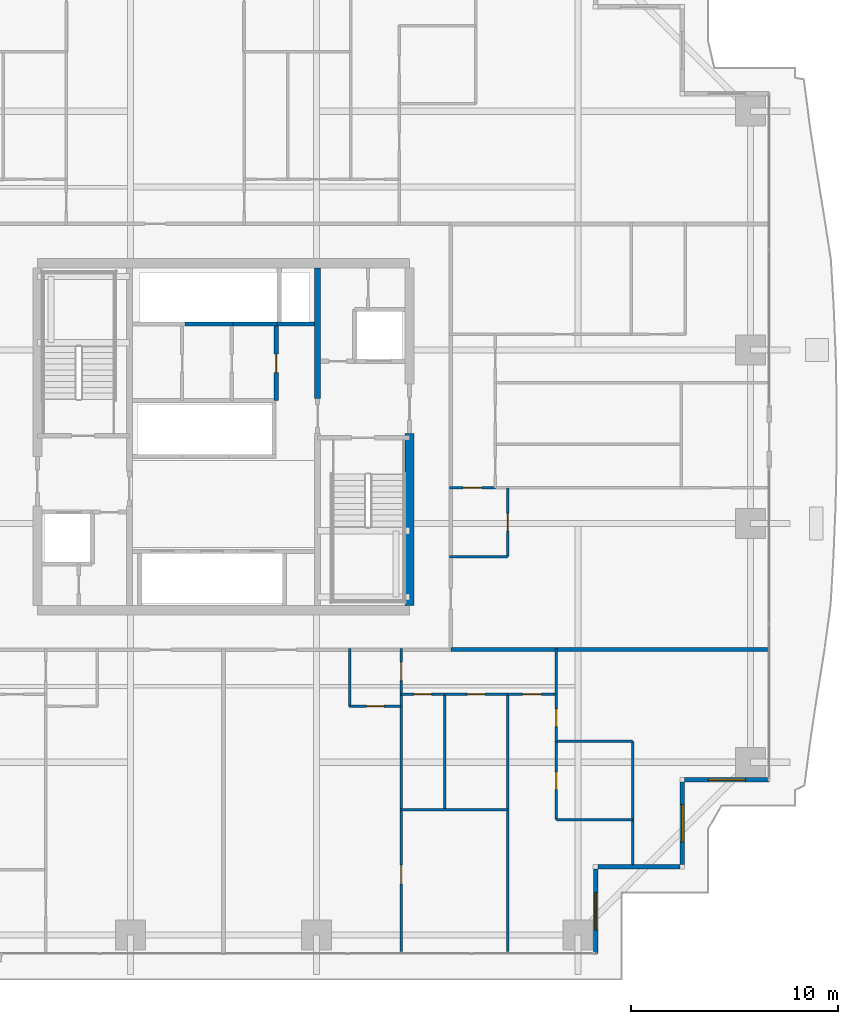
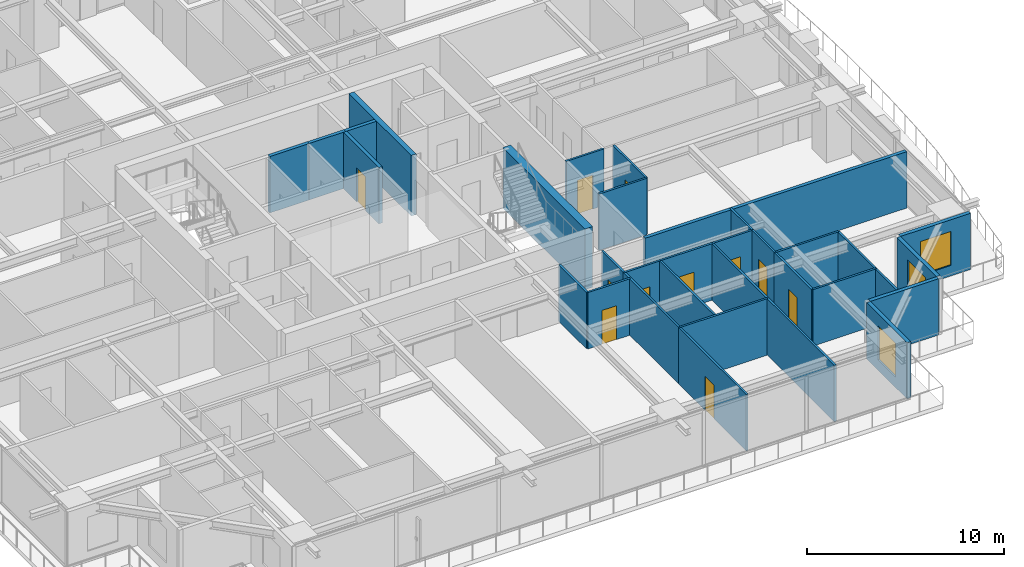
# One storey, part 29 of 39: 31 walls, 11 doors, 3 windows, 14 openings.
"""IFC4 building model written with IfcOpenShell, lengths in metres."""

from ifc_helpers import new_model, si_unit, direction, frame, frame_2d, origin, place, context, subcontext, project, spatial, rectangle, extrude, source, transform, mapped, material, layer, layer_set, type_object, element, fill, save


model = new_model("IFC4")

# Units and contexts
model_context = context("Model", 3, precision=1e-05, world=origin(), true_north=direction((0.0, 1.0)))
body_context = subcontext(model_context, "Body", "Model", "MODEL_VIEW")
ifc_project = project(units=[si_unit("LENGTHUNIT", "METRE"), si_unit("AREAUNIT", "SQUARE_METRE"), si_unit("VOLUMEUNIT", "CUBIC_METRE"), si_unit("PLANEANGLEUNIT", "RADIAN"), si_unit("MASSUNIT", "GRAM", prefix="KILO")], contexts=[model_context])

# Site, building, storey
site_placement = place(None, origin())
site = spatial("IfcSite", under=ifc_project, at=site_placement, CompositionType="ELEMENT")
building_placement = place(site_placement, origin())
building = spatial("IfcBuilding", under=site, at=building_placement, Name="Serunith Strait Residences", CompositionType="ELEMENT")
storey_placement = place(building_placement, frame((0.0, 0.0, 97.949951171875)))
storey = spatial("IfcBuildingStorey", under=building, at=storey_placement, Name="L24", CompositionType="ELEMENT", Elevation=97.949951171875)

# Wall, opening, window
ifc_material_1 = material(Name="Pale-Champagne Aluminium Insulated Panel", Category="aluminium")
ifc_layer_1 = layer(ifc_material_1, 0.219970703125, Name="Pale-Champagne Aluminium Insulated Panel")
ifc_layer_set_1 = layer_set([ifc_layer_1], Name="Pale-Champagne Aluminium Insulated Panel")
wall_type_1 = type_object("IfcWallType", Name="EW-ALUM-220", PredefinedType="ELEMENTEDWALL", material=ifc_layer_set_1)
wall_1_placement = place(storey_placement, frame((50.39990234375, 0.199951171875, 0.0), z_axis=(0.0, 0.0, 1.0), x_axis=(0.0, 1.0, 0.0)))
wall_1 = element("IfcWall", 1, at=wall_1_placement, inside=storey, type_object=wall_type_1, Name="L24 Girih Serrated Corner Wall 02", PredefinedType="ELEMENTEDWALL", context=body_context, shape_type="SweptSolid", body=[
    extrude(rectangle(XDim=4.090087890625, YDim=0.219970703125, at=frame_2d((2.044921875, 0.0))), origin(), (0.0, 0.0, 1.0), 3.47509765625),
])
opening_1_placement = place(wall_1_placement, frame((1.14501953125, 0.0, 0.64990234375)))
opening_1 = element("IfcOpeningElement", 2, at=opening_1_placement, cuts=wall_1, Name="Opening W-01", PredefinedType="OPENING", context=body_context, shape_type="SweptSolid", body=[
    extrude(rectangle(XDim=1.800048828125, YDim=2.10009765625, at=frame_2d((0.89990234375, 1.050048828125))), frame((0.0, 0.1201171875, 0.0), z_axis=(0.0, -1.0, 0.0), x_axis=(1.0, 0.0, 0.0)), (0.0, 0.0, 1.0), 0.239990234375),
])
ifc_material_2 = material(Name="Ceramic-Fritted Operable Aluminium Window Glass", Category="aluminium")
window_type = type_object("IfcWindowType", Name="WIN-C1", PartitioningType="DOUBLE_PANEL_VERTICAL", PredefinedType="WINDOW", material=ifc_material_2)
shared_shape_1 = source(origin(), body_context, "Body", "SweptSolid", [
    extrude(rectangle(XDim=1.800048828125, YDim=2.10009765625, at=frame_2d((0.89990234375, 1.050048828125))), frame((0.0, 0.030029296875, 0.0), z_axis=(0.0, -1.0, 0.0), x_axis=(1.0, 0.0, 0.0)), (0.0, 0.0, 1.0), 0.06005859375),
])
window_1_placement = place(opening_1_placement, origin())
window_1 = element("IfcWindow", 3, at=window_1_placement, inside=storey, type_object=window_type, Name="L24 Corner Operable Fritted Window 02", OverallHeight=2.10009765625, OverallWidth=1.800048828125, PartitioningType="SINGLE_PANEL", PredefinedType="WINDOW", context=body_context, shape_type="MappedRepresentation", body=[
    mapped(shared_shape_1, transform((0.0, 0.0, 0.0), scale=1.0)),
])
fill(opening_1, window_1)

# Wall
wall_2_placement = place(storey_placement, frame((50.510009765625, 4.39990234375, 0.0), z_axis=(0.0, 0.0, 1.0), x_axis=(1.0, 0.0, 0.0)))
element("IfcWall", 4, at=wall_2_placement, inside=storey, type_object=wall_type_1, Name="L24 Girih Serrated Corner Wall 03", PredefinedType="ELEMENTEDWALL", context=body_context, shape_type="SweptSolid", body=[
    extrude(rectangle(XDim=3.97998046875, YDim=0.219970703125, at=frame_2d((1.989990234375, 0.0))), origin(), (0.0, 0.0, 1.0), 3.47509765625),
])

# Wall, opening, window
wall_3_placement = place(storey_placement, frame((54.60009765625, 4.510009765625, 0.0), z_axis=(0.0, 0.0, 1.0), x_axis=(0.0, 1.0, 0.0)))
wall_3 = element("IfcWall", 5, at=wall_3_placement, inside=storey, type_object=wall_type_1, Name="L24 Girih Serrated Corner Wall 04", PredefinedType="ELEMENTEDWALL", context=body_context, shape_type="SweptSolid", body=[
    extrude(rectangle(XDim=3.97998046875, YDim=0.219970703125, at=frame_2d((1.989990234375, 0.0))), origin(), (0.0, 0.0, 1.0), 3.47509765625),
])
opening_2_placement = place(wall_3_placement, frame((1.090087890625, 0.0, 0.64990234375)))
opening_2 = element("IfcOpeningElement", 6, at=opening_2_placement, cuts=wall_3, Name="Opening W-01", PredefinedType="OPENING", context=body_context, shape_type="SweptSolid", body=[
    extrude(rectangle(XDim=1.800048828125, YDim=2.10009765625, at=frame_2d((0.89990234375, 1.050048828125))), frame((0.0, 0.1201171875, 0.0), z_axis=(0.0, -1.0, 0.0), x_axis=(1.0, 0.0, 0.0)), (0.0, 0.0, 1.0), 0.239990234375),
])
window_2_placement = place(opening_2_placement, origin())
window_2 = element("IfcWindow", 7, at=window_2_placement, inside=storey, type_object=window_type, Name="L24 Corner Operable Fritted Window 04", OverallHeight=2.10009765625, OverallWidth=1.800048828125, PartitioningType="SINGLE_PANEL", PredefinedType="WINDOW", context=body_context, shape_type="MappedRepresentation", body=[
    mapped(shared_shape_1, transform((0.0, 0.0, 0.0), scale=1.0)),
])
fill(opening_2, window_2)

wall_4_placement = place(storey_placement, frame((54.7099609375, 8.60009765625, 0.0), z_axis=(0.0, 0.0, 1.0), x_axis=(1.0, 0.0, 0.0)))
wall_4 = element("IfcWall", 8, at=wall_4_placement, inside=storey, type_object=wall_type_1, Name="L24 Girih Serrated Corner Wall 05", PredefinedType="ELEMENTEDWALL", context=body_context, shape_type="SweptSolid", body=[
    extrude(rectangle(XDim=4.090087890625, YDim=0.219970703125, at=frame_2d((2.044921875, 0.0))), origin(), (0.0, 0.0, 1.0), 3.47509765625),
])
opening_3_placement = place(wall_4_placement, frame((1.14501953125, 0.0, 0.64990234375)))
opening_3 = element("IfcOpeningElement", 9, at=opening_3_placement, cuts=wall_4, Name="Opening W-01", PredefinedType="OPENING", context=body_context, shape_type="SweptSolid", body=[
    extrude(rectangle(XDim=1.800048828125, YDim=2.10009765625, at=frame_2d((0.89990234375, 1.050048828125))), frame((0.0, 0.1201171875, 0.0), z_axis=(0.0, -1.0, 0.0), x_axis=(1.0, 0.0, 0.0)), (0.0, 0.0, 1.0), 0.239990234375),
])
window_3_placement = place(opening_3_placement, origin())
window_3 = element("IfcWindow", 10, at=window_3_placement, inside=storey, type_object=window_type, Name="L24 Corner Operable Fritted Window 05", OverallHeight=2.10009765625, OverallWidth=1.800048828125, PartitioningType="SINGLE_PANEL", PredefinedType="WINDOW", context=body_context, shape_type="MappedRepresentation", body=[
    mapped(shared_shape_1, transform((0.0, 0.0, 0.0), scale=1.0)),
])
fill(opening_3, window_3)

# Wall, opening, door
ifc_material_3 = material(Name="Lightweight steel-stud gypsum partition", Category="steel")
ifc_layer_2 = layer(ifc_material_3, 0.1201171875, Name="Lightweight steel-stud gypsum partition")
ifc_layer_set_2 = layer_set([ifc_layer_2], Name="Lightweight steel-stud gypsum partition")
wall_type_2 = type_object("IfcWallType", Name="IW-PART-120", PredefinedType="PARTITIONING", material=ifc_layer_set_2)
wall_5_placement = place(storey_placement, frame((38.5, 12.14990234375, 0.0), z_axis=(0.0, 0.0, 1.0), x_axis=(1.0, 0.0, 0.0)))
wall_5 = element("IfcWall", 11, at=wall_5_placement, inside=storey, type_object=wall_type_2, Name="L24 Partition Wall 043", PredefinedType="PARTITIONING", context=body_context, shape_type="SweptSolid", body=[
    extrude(rectangle(XDim=2.5, YDim=0.1201171875, at=frame_2d((1.25, 0.0))), origin(), (0.0, 0.0, 1.0), 3.489990234375),
])
opening_4_placement = place(wall_5_placement, frame((0.824951171875, 0.0, 0.0)))
opening_4 = element("IfcOpeningElement", 12, at=opening_4_placement, cuts=wall_5, Name="Opening D-RM850", PredefinedType="OPENING", context=body_context, shape_type="SweptSolid", body=[
    extrude(rectangle(XDim=0.85009765625, YDim=2.10009765625, at=frame_2d((0.425048828125, 1.050048828125))), frame((0.0, 0.070068359375, 0.0), z_axis=(0.0, -1.0, 0.0), x_axis=(1.0, 0.0, 0.0)), (0.0, 0.0, 1.0), 0.14013671875),
])
ifc_material_4 = material(Name="Engineered timber flush study and kitchen door", Category="wood")
door_type_1 = type_object("IfcDoorType", Name="ID-ROOM-850", OperationType="NOTDEFINED", PredefinedType="DOOR", material=ifc_material_4)
shared_shape_2 = source(origin(), body_context, "Body", "SweptSolid", [
    extrude(rectangle(XDim=0.85009765625, YDim=2.10009765625, at=frame_2d((0.425048828125, 1.050048828125))), frame((0.0, 0.02490234375, 0.0), z_axis=(0.0, -1.0, 0.0), x_axis=(1.0, 0.0, 0.0)), (0.0, 0.0, 1.0), 0.050048828125),
])
door_1_placement = place(opening_4_placement, origin())
door_1 = element("IfcDoor", 13, at=door_1_placement, inside=storey, type_object=door_type_1, Name="L24 Kitchen 2402 Door", OperationType="SINGLE_SWING_RIGHT", OverallHeight=2.10009765625, OverallWidth=0.85009765625, PredefinedType="DOOR", context=body_context, shape_type="MappedRepresentation", body=[
    mapped(shared_shape_2, transform((0.0, 0.0, 0.0), scale=1.0)),
])
fill(opening_4, door_1)

# Wall
wall_6_placement = place(storey_placement, frame((38.5, 12.14990234375, 0.0), z_axis=(0.0, 0.0, 1.0), x_axis=(0.0, 1.0, 0.0)))
element("IfcWall", 14, at=wall_6_placement, inside=storey, type_object=wall_type_2, Name="L24 Partition Wall 044", PredefinedType="PARTITIONING", context=body_context, shape_type="SweptSolid", body=[
    extrude(rectangle(XDim=2.81005859375, YDim=0.1201171875, at=frame_2d((1.405029296875, 0.0))), origin(), (0.0, 0.0, 1.0), 3.489990234375),
])

# Wall, opening, door
wall_7_placement = place(storey_placement, frame((41.0, 12.75, 0.0), z_axis=(0.0, 0.0, 1.0), x_axis=(0.0, 1.0, 0.0)))
wall_7 = element("IfcWall", 15, at=wall_7_placement, inside=storey, type_object=wall_type_2, Name="L24 Partition Wall 045", PredefinedType="PARTITIONING", context=body_context, shape_type="SweptSolid", body=[
    extrude(rectangle(XDim=2.2099609375, YDim=0.1201171875, at=frame_2d((1.10498046875, 0.0))), origin(), (0.0, 0.0, 1.0), 3.489990234375),
])
opening_5_placement = place(wall_7_placement, frame((0.655029296875, 0.0, 0.0)))
opening_5 = element("IfcOpeningElement", 16, at=opening_5_placement, cuts=wall_7, Name="Opening D-RM900", PredefinedType="OPENING", context=body_context, shape_type="SweptSolid", body=[
    extrude(rectangle(XDim=0.89990234375, YDim=2.10009765625, at=frame_2d((0.449951171875, 1.050048828125))), frame((0.0, 0.070068359375, 0.0), z_axis=(0.0, -1.0, 0.0), x_axis=(1.0, 0.0, 0.0)), (0.0, 0.0, 1.0), 0.14013671875),
])
ifc_material_5 = material(Name="Engineered timber flush bedroom door", Category="wood")
door_type_2 = type_object("IfcDoorType", Name="ID-ROOM-900", OperationType="NOTDEFINED", PredefinedType="DOOR", material=ifc_material_5)
shared_shape_3 = source(origin(), body_context, "Body", "SweptSolid", [
    extrude(rectangle(XDim=0.89990234375, YDim=2.10009765625, at=frame_2d((0.449951171875, 1.050048828125))), frame((0.0, 0.02490234375, 0.0), z_axis=(0.0, -1.0, 0.0), x_axis=(1.0, 0.0, 0.0)), (0.0, 0.0, 1.0), 0.050048828125),
])
door_2_placement = place(opening_5_placement, origin())
door_2 = element("IfcDoor", 17, at=door_2_placement, inside=storey, type_object=door_type_2, Name="L24 Hall E 2402 Door", OperationType="SINGLE_SWING_LEFT", OverallHeight=2.10009765625, OverallWidth=0.89990234375, PredefinedType="DOOR", context=body_context, shape_type="MappedRepresentation", body=[
    mapped(shared_shape_3, transform((0.0, 0.0, 0.0), scale=1.0)),
])
fill(opening_5, door_2)

wall_8_placement = place(storey_placement, frame((41.0, 0.294921875, 0.0), z_axis=(0.0, 0.0, 1.0), x_axis=(0.0, 1.0, 0.0)))
wall_8 = element("IfcWall", 18, at=wall_8_placement, inside=storey, type_object=wall_type_2, Name="L24 Partition Wall 046", PredefinedType="PARTITIONING", context=body_context, shape_type="SweptSolid", body=[
    extrude(rectangle(XDim=6.85107421875, YDim=0.1201171875, at=frame_2d((3.425537109375, 0.0))), origin(), (0.0, 0.0, 1.0), 3.489990234375),
])
opening_6_placement = place(wall_8_placement, frame((3.27294921875, 0.0, 0.0)))
opening_6 = element("IfcOpeningElement", 19, at=opening_6_placement, cuts=wall_8, Name="Opening D-RM900", PredefinedType="OPENING", context=body_context, shape_type="SweptSolid", body=[
    extrude(rectangle(XDim=0.89990234375, YDim=2.10009765625, at=frame_2d((0.449951171875, 1.050048828125))), frame((0.0, 0.070068359375, 0.0), z_axis=(0.0, -1.0, 0.0), x_axis=(1.0, 0.0, 0.0)), (0.0, 0.0, 1.0), 0.14013671875),
])
door_3_placement = place(opening_6_placement, origin())
door_3 = element("IfcDoor", 20, at=door_3_placement, inside=storey, type_object=door_type_2, Name="L24 Formal Dining Room 1 2402 Door", OperationType="SINGLE_SWING_RIGHT", OverallHeight=2.10009765625, OverallWidth=0.89990234375, PredefinedType="DOOR", context=body_context, shape_type="MappedRepresentation", body=[
    mapped(shared_shape_3, transform((0.0, 0.0, 0.0), scale=1.0)),
])
fill(opening_6, door_3)

# Walls
wall_9_placement = place(storey_placement, frame((41.0, 7.14794921875, 0.0), z_axis=(0.0, 0.0, 1.0), x_axis=(0.0, 1.0, 0.0)))
element("IfcWall", 21, at=wall_9_placement, inside=storey, type_object=wall_type_2, Name="L24 Partition Wall 047", PredefinedType="PARTITIONING", context=body_context, shape_type="SweptSolid", body=[
    extrude(rectangle(XDim=5.60009765625, YDim=0.1201171875, at=frame_2d((2.800048828125, 0.0))), origin(), (0.0, 0.0, 1.0), 3.489990234375),
])
wall_10_placement = place(storey_placement, frame((41.0, 7.14599609375, 0.0), z_axis=(0.0, 0.0, 1.0), x_axis=(1.0, 0.0, 0.0)))
element("IfcWall", 22, at=wall_10_placement, inside=storey, type_object=wall_type_2, Name="L24 Partition Wall 048", PredefinedType="PARTITIONING", context=body_context, shape_type="SweptSolid", body=[
    extrude(rectangle(XDim=5.14990234375, YDim=0.1201171875, at=frame_2d((2.574951171875, 0.0))), origin(), (0.0, 0.0, 1.0), 3.489990234375),
])
wall_11_placement = place(storey_placement, frame((46.14990234375, 0.294921875, 0.0), z_axis=(0.0, 0.0, 1.0), x_axis=(0.0, 1.0, 0.0)))
element("IfcWall", 23, at=wall_11_placement, inside=storey, type_object=wall_type_2, Name="L24 Partition Wall 049", PredefinedType="PARTITIONING", context=body_context, shape_type="SweptSolid", body=[
    extrude(rectangle(XDim=12.455078125, YDim=0.1201171875, at=frame_2d((6.2275390625, 0.0))), origin(), (0.0, 0.0, 1.0), 3.489990234375),
])
wall_12_placement = place(storey_placement, frame((43.10009765625, 7.14599609375, 0.0), z_axis=(0.0, 0.0, 1.0), x_axis=(0.0, 1.0, 0.0)))
element("IfcWall", 24, at=wall_12_placement, inside=storey, type_object=wall_type_2, Name="L24 Partition Wall 050", PredefinedType="PARTITIONING", context=body_context, shape_type="SweptSolid", body=[
    extrude(rectangle(XDim=5.60400390625, YDim=0.1201171875, at=frame_2d((2.802001953125, 0.0))), origin(), (0.0, 0.0, 1.0), 3.489990234375),
])

# Wall, opening, door
wall_13_placement = place(storey_placement, frame((41.0, 12.75, 0.0), z_axis=(0.0, 0.0, 1.0), x_axis=(1.0, 0.0, 0.0)))
wall_13 = element("IfcWall", 25, at=wall_13_placement, inside=storey, type_object=wall_type_2, Name="L24 Partition Wall 051", PredefinedType="PARTITIONING", context=body_context, shape_type="SweptSolid", body=[
    extrude(rectangle(XDim=2.10009765625, YDim=0.1201171875, at=frame_2d((1.050048828125, 0.0))), origin(), (0.0, 0.0, 1.0), 3.489990234375),
])
opening_7_placement = place(wall_13_placement, frame((0.625, 0.0, 0.0)))
opening_7 = element("IfcOpeningElement", 26, at=opening_7_placement, cuts=wall_13, Name="Opening D-BTH850", PredefinedType="OPENING", context=body_context, shape_type="SweptSolid", body=[
    extrude(rectangle(XDim=0.85009765625, YDim=2.10009765625, at=frame_2d((0.425048828125, 1.050048828125))), frame((0.0, 0.070068359375, 0.0), z_axis=(0.0, -1.0, 0.0), x_axis=(1.0, 0.0, 0.0)), (0.0, 0.0, 1.0), 0.14013671875),
])
ifc_material_6 = material(Name="Moisture-resistant timber bathroom door", Category="wood")
door_type_3 = type_object("IfcDoorType", Name="ID-BATH-850", OperationType="NOTDEFINED", PredefinedType="DOOR", material=ifc_material_6)
door_4_placement = place(opening_7_placement, origin())
door_4 = element("IfcDoor", 27, at=door_4_placement, inside=storey, type_object=door_type_3, Name="L24 Bathroom 2402 Door", OperationType="SINGLE_SWING_LEFT", OverallHeight=2.10009765625, OverallWidth=0.85009765625, PredefinedType="DOOR", context=body_context, shape_type="MappedRepresentation", body=[
    mapped(shared_shape_2, transform((0.0, 0.0, 0.0), scale=1.0)),
])
fill(opening_7, door_4)

wall_14_placement = place(storey_placement, frame((43.10205078125, 12.75, 0.0), z_axis=(0.0, 0.0, 1.0), x_axis=(1.0, 0.0, 0.0)))
wall_14 = element("IfcWall", 28, at=wall_14_placement, inside=storey, type_object=wall_type_2, Name="L24 Partition Wall 052", PredefinedType="PARTITIONING", context=body_context, shape_type="SweptSolid", body=[
    extrude(rectangle(XDim=3.0478515625, YDim=0.1201171875, at=frame_2d((1.52392578125, 0.0))), origin(), (0.0, 0.0, 1.0), 3.489990234375),
])
opening_8_placement = place(wall_14_placement, frame((1.09912109375, 0.0, 0.0)))
opening_8 = element("IfcOpeningElement", 29, at=opening_8_placement, cuts=wall_14, Name="Opening D-RM850", PredefinedType="OPENING", context=body_context, shape_type="SweptSolid", body=[
    extrude(rectangle(XDim=0.85009765625, YDim=2.10009765625, at=frame_2d((0.425048828125, 1.050048828125))), frame((0.0, 0.070068359375, 0.0), z_axis=(0.0, -1.0, 0.0), x_axis=(1.0, 0.0, 0.0)), (0.0, 0.0, 1.0), 0.14013671875),
])
door_5_placement = place(opening_8_placement, origin())
door_5 = element("IfcDoor", 30, at=door_5_placement, inside=storey, type_object=door_type_1, Name="L24 Laundry Room 2402 Door", OperationType="SINGLE_SWING_RIGHT", OverallHeight=2.10009765625, OverallWidth=0.85009765625, PredefinedType="DOOR", context=body_context, shape_type="MappedRepresentation", body=[
    mapped(shared_shape_2, transform((0.0, 0.0, 0.0), scale=1.0)),
])
fill(opening_8, door_5)

wall_15_placement = place(storey_placement, frame((46.152099609375, 12.75, 0.0), z_axis=(0.0, 0.0, 1.0), x_axis=(1.0, 0.0, 0.0)))
wall_15 = element("IfcWall", 31, at=wall_15_placement, inside=storey, type_object=wall_type_2, Name="L24 Partition Wall 053", PredefinedType="PARTITIONING", context=body_context, shape_type="SweptSolid", body=[
    extrude(rectangle(XDim=2.347900390625, YDim=0.1201171875, at=frame_2d((1.173828125, 0.0))), origin(), (0.0, 0.0, 1.0), 3.489990234375),
])
opening_9_placement = place(wall_15_placement, frame((0.72412109375, 0.0, 0.0)))
opening_9 = element("IfcOpeningElement", 32, at=opening_9_placement, cuts=wall_15, Name="Opening D-RM900", PredefinedType="OPENING", context=body_context, shape_type="SweptSolid", body=[
    extrude(rectangle(XDim=0.89990234375, YDim=2.10009765625, at=frame_2d((0.449951171875, 1.050048828125))), frame((0.0, 0.070068359375, 0.0), z_axis=(0.0, -1.0, 0.0), x_axis=(1.0, 0.0, 0.0)), (0.0, 0.0, 1.0), 0.14013671875),
])
door_6_placement = place(opening_9_placement, origin())
door_6 = element("IfcDoor", 33, at=door_6_placement, inside=storey, type_object=door_type_2, Name="L24 Master Bedroom E 2402 Door", OperationType="SINGLE_SWING_LEFT", OverallHeight=2.10009765625, OverallWidth=0.89990234375, PredefinedType="DOOR", context=body_context, shape_type="MappedRepresentation", body=[
    mapped(shared_shape_3, transform((0.0, 0.0, 0.0), scale=1.0)),
])
fill(opening_9, door_6)

# Walls
wall_16_placement = place(storey_placement, frame((48.5, 6.672119140625, 0.0), z_axis=(0.0, 0.0, 1.0), x_axis=(1.0, 0.0, 0.0)))
element("IfcWall", 34, at=wall_16_placement, inside=storey, type_object=wall_type_2, Name="L24 Partition Wall 054", PredefinedType="PARTITIONING", context=body_context, shape_type="SweptSolid", body=[
    extrude(rectangle(XDim=3.699951171875, YDim=0.1201171875, at=frame_2d((1.85009765625, 0.0))), origin(), (0.0, 0.0, 1.0), 3.489990234375),
])
wall_17_placement = place(storey_placement, frame((52.199951171875, 4.4951171875, 0.0), z_axis=(0.0, 0.0, 1.0), x_axis=(0.0, 1.0, 0.0)))
element("IfcWall", 35, at=wall_17_placement, inside=storey, type_object=wall_type_2, Name="L24 Partition Wall 055", PredefinedType="PARTITIONING", context=body_context, shape_type="SweptSolid", body=[
    extrude(rectangle(XDim=5.9609375, YDim=0.1201171875, at=frame_2d((2.98046875, 0.0))), origin(), (0.0, 0.0, 1.0), 3.489990234375),
])
wall_18_placement = place(storey_placement, frame((48.5, 10.4560546875, 0.0), z_axis=(0.0, 0.0, 1.0), x_axis=(1.0, 0.0, 0.0)))
element("IfcWall", 36, at=wall_18_placement, inside=storey, type_object=wall_type_2, Name="L24 Partition Wall 056", PredefinedType="PARTITIONING", context=body_context, shape_type="SweptSolid", body=[
    extrude(rectangle(XDim=3.699951171875, YDim=0.1201171875, at=frame_2d((1.85009765625, 0.0))), origin(), (0.0, 0.0, 1.0), 3.489990234375),
])

# Wall, opening, door
wall_19_placement = place(storey_placement, frame((48.5, 6.672119140625, 0.0), z_axis=(0.0, 0.0, 1.0), x_axis=(0.0, 1.0, 0.0)))
wall_19 = element("IfcWall", 37, at=wall_19_placement, inside=storey, type_object=wall_type_2, Name="L24 Partition Wall 057", PredefinedType="PARTITIONING", context=body_context, shape_type="SweptSolid", body=[
    extrude(rectangle(XDim=3.783935546875, YDim=0.1201171875, at=frame_2d((1.89208984375, 0.0))), origin(), (0.0, 0.0, 1.0), 3.489990234375),
])
opening_10_placement = place(wall_19_placement, frame((1.467041015625, 0.0, 0.0)))
opening_10 = element("IfcOpeningElement", 38, at=opening_10_placement, cuts=wall_19, Name="Opening D-BTH850", PredefinedType="OPENING", context=body_context, shape_type="SweptSolid", body=[
    extrude(rectangle(XDim=0.85009765625, YDim=2.10009765625, at=frame_2d((0.425048828125, 1.050048828125))), frame((0.0, 0.070068359375, 0.0), z_axis=(0.0, -1.0, 0.0), x_axis=(1.0, 0.0, 0.0)), (0.0, 0.0, 1.0), 0.14013671875),
])
door_7_placement = place(opening_10_placement, origin())
door_7 = element("IfcDoor", 39, at=door_7_placement, inside=storey, type_object=door_type_3, Name="L24 En-suite Bathroom E 2402 Door", OperationType="SINGLE_SWING_RIGHT", OverallHeight=2.10009765625, OverallWidth=0.85009765625, PredefinedType="DOOR", context=body_context, shape_type="MappedRepresentation", body=[
    mapped(shared_shape_2, transform((0.0, 0.0, 0.0), scale=1.0)),
])
fill(opening_10, door_7)

wall_20_placement = place(storey_placement, frame((48.5, 10.4580078125, 0.0), z_axis=(0.0, 0.0, 1.0), x_axis=(0.0, 1.0, 0.0)))
wall_20 = element("IfcWall", 40, at=wall_20_placement, inside=storey, type_object=wall_type_2, Name="L24 Partition Wall 058", PredefinedType="PARTITIONING", context=body_context, shape_type="SweptSolid", body=[
    extrude(rectangle(XDim=2.2919921875, YDim=0.1201171875, at=frame_2d((1.14599609375, 0.0))), origin(), (0.0, 0.0, 1.0), 3.489990234375),
])
opening_11_placement = place(wall_20_placement, frame((0.720947265625, 0.0, 0.0)))
opening_11 = element("IfcOpeningElement", 41, at=opening_11_placement, cuts=wall_20, Name="Opening D-RM850", PredefinedType="OPENING", context=body_context, shape_type="SweptSolid", body=[
    extrude(rectangle(XDim=0.85009765625, YDim=2.10009765625, at=frame_2d((0.425048828125, 1.050048828125))), frame((0.0, 0.070068359375, 0.0), z_axis=(0.0, -1.0, 0.0), x_axis=(1.0, 0.0, 0.0)), (0.0, 0.0, 1.0), 0.14013671875),
])
door_8_placement = place(opening_11_placement, origin())
door_8 = element("IfcDoor", 42, at=door_8_placement, inside=storey, type_object=door_type_1, Name="L24 Wardrobe E 2402 Door", OperationType="SINGLE_SWING_LEFT", OverallHeight=2.10009765625, OverallWidth=0.85009765625, PredefinedType="DOOR", context=body_context, shape_type="MappedRepresentation", body=[
    mapped(shared_shape_2, transform((0.0, 0.0, 0.0), scale=1.0)),
])
fill(opening_11, door_8)

# Wall
wall_21_placement = place(storey_placement, frame((48.5, 12.751953125, 0.0), z_axis=(0.0, 0.0, 1.0), x_axis=(0.0, 1.0, 0.0)))
element("IfcWall", 43, at=wall_21_placement, inside=storey, type_object=wall_type_2, Name="L24 Partition Wall 059", PredefinedType="PARTITIONING", context=body_context, shape_type="SweptSolid", body=[
    extrude(rectangle(XDim=2.2080078125, YDim=0.1201171875, at=frame_2d((1.10400390625, 0.0))), origin(), (0.0, 0.0, 1.0), 3.489990234375),
])

# Wall, opening, door
wall_22_placement = place(storey_placement, frame((46.14990234375, 19.39990234375, 0.0), z_axis=(0.0, 0.0, 1.0), x_axis=(0.0, 1.0, 0.0)))
wall_22 = element("IfcWall", 44, at=wall_22_placement, inside=storey, type_object=wall_type_2, Name="L24 Partition Wall 106", PredefinedType="PARTITIONING", context=body_context, shape_type="SweptSolid", body=[
    extrude(rectangle(XDim=3.330078125, YDim=0.1201171875, at=frame_2d((1.6650390625, 0.0))), origin(), (0.0, 0.0, 1.0), 3.489990234375),
])
opening_12_placement = place(wall_22_placement, frame((1.239990234375, 0.0, 0.0)))
opening_12 = element("IfcOpeningElement", 45, at=opening_12_placement, cuts=wall_22, Name="Opening D-RM850", PredefinedType="OPENING", context=body_context, shape_type="SweptSolid", body=[
    extrude(rectangle(XDim=0.85009765625, YDim=2.10009765625, at=frame_2d((0.425048828125, 1.050048828125))), frame((0.0, 0.070068359375, 0.0), z_axis=(0.0, -1.0, 0.0), x_axis=(1.0, 0.0, 0.0)), (0.0, 0.0, 1.0), 0.14013671875),
])
door_9_placement = place(opening_12_placement, origin())
door_9 = element("IfcDoor", 46, at=door_9_placement, inside=storey, type_object=door_type_1, Name="L24 Kitchen 2405 Door", OperationType="SINGLE_SWING_RIGHT", OverallHeight=2.10009765625, OverallWidth=0.85009765625, PredefinedType="DOOR", context=body_context, shape_type="MappedRepresentation", body=[
    mapped(shared_shape_2, transform((0.0, 0.0, 0.0), scale=1.0)),
])
fill(opening_12, door_9)

# Wall
wall_23_placement = place(storey_placement, frame((46.14990234375, 19.39990234375, 0.0), z_axis=(0.0, 0.0, 1.0), x_axis=(-1.0, 0.0, 0.0)))
element("IfcWall", 47, at=wall_23_placement, inside=storey, type_object=wall_type_2, Name="L24 Partition Wall 107", PredefinedType="PARTITIONING", context=body_context, shape_type="SweptSolid", body=[
    extrude(rectangle(XDim=2.809814453125, YDim=0.1201171875, at=frame_2d((1.40478515625, 0.0))), origin(), (0.0, 0.0, 1.0), 3.489990234375),
])

# Wall, opening, door
wall_24_placement = place(storey_placement, frame((45.550048828125, 22.72998046875, 0.0), z_axis=(0.0, 0.0, 1.0), x_axis=(-1.0, 0.0, 0.0)))
wall_24 = element("IfcWall", 48, at=wall_24_placement, inside=storey, type_object=wall_type_2, Name="L24 Partition Wall 108", PredefinedType="PARTITIONING", context=body_context, shape_type="SweptSolid", body=[
    extrude(rectangle(XDim=2.2099609375, YDim=0.1201171875, at=frame_2d((1.10498046875, 0.0))), origin(), (0.0, 0.0, 1.0), 3.489990234375),
])
opening_13_placement = place(wall_24_placement, frame((0.655029296875, 0.0, 0.0)))
opening_13 = element("IfcOpeningElement", 49, at=opening_13_placement, cuts=wall_24, Name="Opening D-RM900", PredefinedType="OPENING", context=body_context, shape_type="SweptSolid", body=[
    extrude(rectangle(XDim=0.89990234375, YDim=2.10009765625, at=frame_2d((0.449951171875, 1.050048828125))), frame((0.0, 0.070068359375, 0.0), z_axis=(0.0, -1.0, 0.0), x_axis=(1.0, 0.0, 0.0)), (0.0, 0.0, 1.0), 0.14013671875),
])
door_10_placement = place(opening_13_placement, origin())
door_10 = element("IfcDoor", 50, at=door_10_placement, inside=storey, type_object=door_type_2, Name="L24 Hall E 2405 Door", OperationType="SINGLE_SWING_LEFT", OverallHeight=2.10009765625, OverallWidth=0.89990234375, PredefinedType="DOOR", context=body_context, shape_type="MappedRepresentation", body=[
    mapped(shared_shape_3, transform((0.0, 0.0, 0.0), scale=1.0)),
])
fill(opening_13, door_10)

# Walls
ifc_material_7 = material(Name="Twin-stud acoustic gypsum board partition")
ifc_layer_3 = layer(ifc_material_7, 0.199951171875, Name="Twin-stud acoustic gypsum board partition")
ifc_layer_set_3 = layer_set([ifc_layer_3], Name="Twin-stud acoustic gypsum board partition")
wall_type_3 = type_object("IfcWallType", Name="IW-PARTY-200", PredefinedType="PARTITIONING", material=ifc_layer_set_3)
wall_25_placement = place(storey_placement, frame((43.39990234375, 14.89990234375, 0.0), z_axis=(0.0, 0.0, 1.0), x_axis=(1.0, 0.0, 0.0)))
element("IfcWall", 51, at=wall_25_placement, inside=storey, type_object=wall_type_3, Name="L24 Partition Wall 019", PredefinedType="PARTITIONING", context=body_context, shape_type="SweptSolid", body=[
    extrude(rectangle(XDim=15.318115234375, YDim=0.199951171875, at=frame_2d((7.6591796875, 0.0))), origin(), (0.0, 0.0, 1.0), 3.489990234375),
])
ifc_material_8 = material(Name="Autoclaved aerated concrete blockwork", Category="masonry")
ifc_layer_4 = layer(ifc_material_8, 0.199951171875, Name="Autoclaved aerated concrete blockwork")
ifc_layer_set_4 = layer_set([ifc_layer_4], Name="Autoclaved aerated concrete blockwork")
wall_type_4 = type_object("IfcWallType", Name="IW-SHAFT-200", PredefinedType="STANDARD", material=ifc_layer_set_4)
wall_26_placement = place(storey_placement, frame((30.550048828125, 30.64990234375, 0.0), z_axis=(0.0, 0.0, 1.0), x_axis=(1.0, 0.0, 0.0)))
element("IfcWall", 52, at=wall_26_placement, inside=storey, type_object=wall_type_4, Name="L24 PL-8 South Shaft Wall", PredefinedType="STANDARD", context=body_context, shape_type="SweptSolid", body=[
    extrude(rectangle(XDim=2.300048828125, YDim=0.199951171875, at=frame_2d((1.14990234375, 0.0))), origin(), (0.0, 0.0, 1.0), 3.489990234375),
])
wall_27_placement = place(storey_placement, frame((32.85009765625, 30.64990234375, 0.0), z_axis=(0.0, 0.0, 1.0), x_axis=(1.0, 0.0, 0.0)))
element("IfcWall", 53, at=wall_27_placement, inside=storey, type_object=wall_type_4, Name="L24 PL-9 South Shaft Wall", PredefinedType="STANDARD", context=body_context, shape_type="SweptSolid", body=[
    extrude(rectangle(XDim=2.14990234375, YDim=0.199951171875, at=frame_2d((1.074951171875, 0.0))), origin(), (0.0, 0.0, 1.0), 3.489990234375),
])
wall_28_placement = place(storey_placement, frame((35.0, 30.64990234375, 0.0), z_axis=(0.0, 0.0, 1.0), x_axis=(1.0, 0.0, 0.0)))
element("IfcWall", 54, at=wall_28_placement, inside=storey, type_object=wall_type_4, Name="L24 SL-1 South Shaft Wall", PredefinedType="STANDARD", context=body_context, shape_type="SweptSolid", body=[
    extrude(rectangle(XDim=1.800048828125, YDim=0.199951171875, at=frame_2d((0.89990234375, 0.0))), origin(), (0.0, 0.0, 1.0), 3.489990234375),
])

# Wall, opening, door
wall_29_placement = place(storey_placement, frame((34.949951171875, 26.949951171875, 0.0), z_axis=(0.0, 0.0, 1.0), x_axis=(0.0, 1.0, 0.0)))
wall_29 = element("IfcWall", 55, at=wall_29_placement, inside=storey, type_object=wall_type_4, Name="L24 Partition Wall 014", PredefinedType="STANDARD", context=body_context, shape_type="SweptSolid", body=[
    extrude(rectangle(XDim=3.60009765625, YDim=0.199951171875, at=frame_2d((1.800048828125, 0.0))), origin(), (0.0, 0.0, 1.0), 3.489990234375),
])
opening_14_placement = place(wall_29_placement, frame((1.35009765625, 0.0, 0.0)))
opening_14 = element("IfcOpeningElement", 56, at=opening_14_placement, cuts=wall_29, Name="Opening FD-900", PredefinedType="OPENING", context=body_context, shape_type="SweptSolid", body=[
    extrude(rectangle(XDim=0.89990234375, YDim=2.10009765625, at=frame_2d((0.449951171875, 1.050048828125))), frame((0.0, 0.10986328125, 0.0), z_axis=(0.0, -1.0, 0.0), x_axis=(1.0, 0.0, 0.0)), (0.0, 0.0, 1.0), 0.219970703125),
])
ifc_material_9 = material(Name="Powder-coated steel riser door", Category="steel")
door_type_4 = type_object("IfcDoorType", Name="FD-BOH-900", OperationType="NOTDEFINED", PredefinedType="DOOR", material=ifc_material_9)
door_11_placement = place(opening_14_placement, origin())
door_11 = element("IfcDoor", 57, at=door_11_placement, inside=storey, type_object=door_type_4, Name="L24 Janitorial Store Door", OperationType="SINGLE_SWING_RIGHT", OverallHeight=2.10009765625, OverallWidth=0.89990234375, PredefinedType="DOOR", context=body_context, shape_type="MappedRepresentation", body=[
    mapped(shared_shape_3, transform((0.0, 0.0, 0.0), scale=1.0)),
])
fill(opening_14, door_11)

# Walls
ifc_material_10 = material(Name="Concrete C80/95", Category="concrete")
ifc_layer_5 = layer(ifc_material_10, 0.300048828125, Name="Concrete C80/95")
ifc_layer_set_5 = layer_set([ifc_layer_5], Name="Concrete C80/95")
wall_type_5 = type_object("IfcWallType", Name="SW-300-C80", PredefinedType="SHEAR", material=ifc_layer_set_5)
wall_30_placement = place(storey_placement, frame((36.949951171875, 27.050048828125, -0.260009765625), z_axis=(0.0, 0.0, 1.0), x_axis=(0.0, 1.0, 0.0)))
element("IfcWall", 58, at=wall_30_placement, inside=storey, type_object=wall_type_5, Name="L24 Core Internal East Web North Pier", PredefinedType="SHEAR", context=body_context, shape_type="SweptSolid", body=[
    extrude(rectangle(XDim=6.324951171875, YDim=0.300048828125, at=frame_2d((3.16259765625, 0.0))), origin(), (0.0, 0.0, 1.0), 3.748046875),
])
ifc_layer_6 = layer(ifc_material_10, 0.449951171875, Name="Concrete C80/95")
ifc_layer_set_6 = layer_set([ifc_layer_6], Name="Concrete C80/95")
wall_type_6 = type_object("IfcWallType", Name="SW-450-C80", PredefinedType="SHEAR", material=ifc_layer_set_6)
wall_31_placement = place(storey_placement, frame((41.39990234375, 17.02490234375, -0.260009765625), z_axis=(0.0, 0.0, 1.0), x_axis=(0.0, 1.0, 0.0)))
element("IfcWall", 59, at=wall_31_placement, inside=storey, type_object=wall_type_6, Name="L24 Core East Shear Wall South Pier", PredefinedType="SHEAR", context=body_context, shape_type="SweptSolid", body=[
    extrude(rectangle(XDim=8.3251953125, YDim=0.449951171875, at=frame_2d((4.16259765625, 0.0))), origin(), (0.0, 0.0, 1.0), 3.748046875),
])

save(model, "model.ifc")
